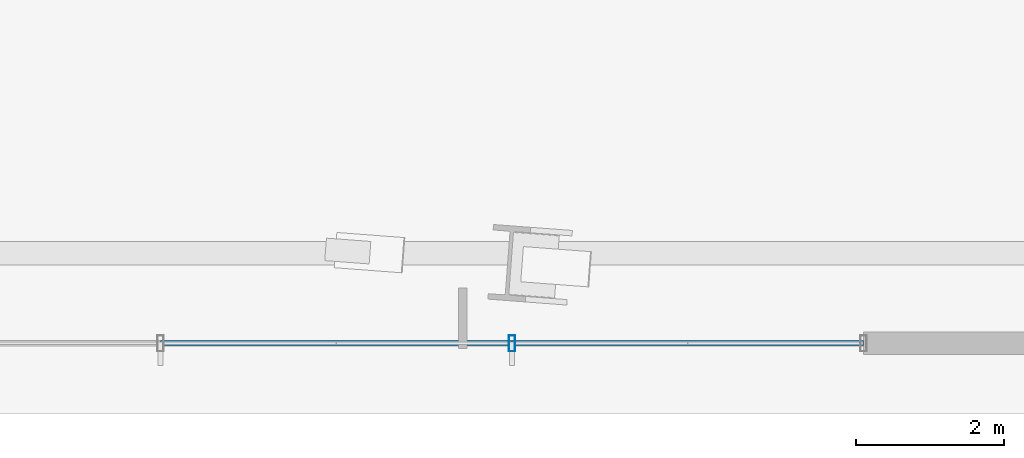
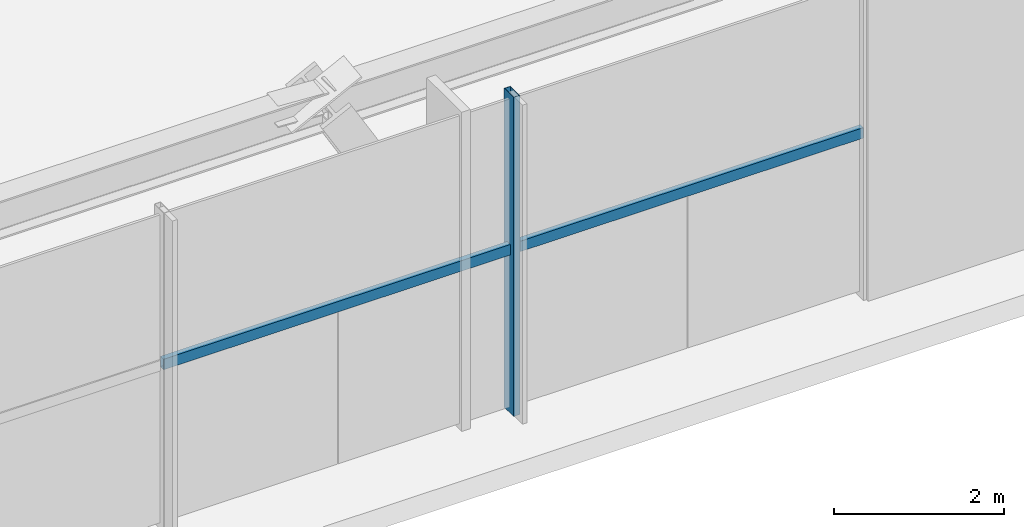
# One storey, part 13 of 31: 3 members, 1 element without a shape of its own.
"""IFC4 building model written with IfcOpenShell, lengths in metres."""

from ifc_helpers import new_model, si_unit, direction, frame, origin, origin_2d, place, context, subcontext, project, spatial, hollow_rectangle, extrude, source, transform, mapped, material, material_profile, profile_set, type_object, type_shapes, element, aggregate, save


model = new_model("IFC4")

# Units and contexts
model_context = context("Model", 3, precision=1e-05, world=origin(), true_north=direction((0.0, 1.0)))
body_context = subcontext(model_context, "Body", "Model", "MODEL_VIEW")
ifc_project = project(units=[si_unit("LENGTHUNIT", "METRE"), si_unit("AREAUNIT", "SQUARE_METRE"), si_unit("VOLUMEUNIT", "CUBIC_METRE"), si_unit("PLANEANGLEUNIT", "RADIAN"), si_unit("MASSUNIT", "GRAM", prefix="KILO")], contexts=[model_context])

# Site, building, storey
site_placement = place(None, origin())
site = spatial("IfcSite", under=ifc_project, at=site_placement, CompositionType="ELEMENT")
building_placement = place(site_placement, origin())
building = spatial("IfcBuilding", under=site, at=building_placement, Name="Astriad Promenade Condominiums", CompositionType="ELEMENT")
storey_placement = place(building_placement, origin())
storey = spatial("IfcBuildingStorey", under=building, at=storey_placement, Name="L00", CompositionType="ELEMENT", Elevation=0.0)

# Curtain wall, members
ifc_material_1 = material(Name="Anodised aluminium Black Dark Glass Unitised", Category="aluminium")
curtain_wall_type = type_object("IfcCurtainWallType", Name="CW-POD-DARK", PredefinedType="USERDEFINED", material=ifc_material_1)
curtain_wall_placement = place(storey_placement, origin())
curtain_wall = element("IfcCurtainWall", 1, at=curtain_wall_placement, inside=storey, type_object=curtain_wall_type, Name="CW-L00-SE", ObjectType="UNITISED_CURTAIN_WALL", PredefinedType="USERDEFINED")
ifc_material_2 = material(Name="Anodised aluminium 6063-T6 Black", Category="aluminium")
ifc_material_profile_1 = material_profile(ifc_material_2, hollow_rectangle(XDim=0.0849609375, YDim=0.219970703125, WallThickness=0.0048828125, at=origin_2d()), Name="ALU-MUL-85X220")
ifc_profile_set_1 = profile_set([ifc_material_profile_1], Name="Anodised aluminium 6063-T6 Black")
member_type_1 = type_object("IfcMemberType", Name="MUL-ALU-MUL-85X220", PredefinedType="MULLION", material=ifc_profile_set_1)
shared_shape_1 = source(origin(), body_context, "Body", "SweptSolid", [
    extrude(hollow_rectangle(XDim=0.0849609375, YDim=0.219970703125, WallThickness=0.0048828125, at=origin_2d()), origin(), (0.0, 0.0, 1.0), 4.580078125),
])
type_shapes(member_type_1, [shared_shape_1])
member_1_placement = place(storey_placement, frame((61.25, 0.949951171875, 0.0), z_axis=(0.0, 0.0, 1.0), x_axis=(1.0, 0.0, 0.0)))
member_1 = element("IfcMember", 2, at=member_1_placement, type_object=member_type_1, Name="CW-L00-SE-MUL-01", PredefinedType="MULLION", context=body_context, shape_type="MappedRepresentation", body=[
    mapped(shared_shape_1, transform((0.0, 0.0, 0.0), scale=1.0)),
])
ifc_material_profile_2 = material_profile(ifc_material_2, hollow_rectangle(XDim=0.074951171875, YDim=0.14990234375, WallThickness=0.004150390625, at=origin_2d()), Name="ALU-TRN-75X150")
ifc_profile_set_2 = profile_set([ifc_material_profile_2], Name="Anodised aluminium 6063-T6 Black")
member_type_2 = type_object("IfcMemberType", Name="TRN-ALU-TRN-75X150", PredefinedType="USERDEFINED", material=ifc_profile_set_2)
shared_shape_2 = source(origin(), body_context, "Body", "SweptSolid", [
    extrude(hollow_rectangle(XDim=0.074951171875, YDim=0.14990234375, WallThickness=0.004150390625, at=origin_2d()), origin(), (0.0, 0.0, 1.0), 4.75),
])
type_shapes(member_type_2, [shared_shape_2])
member_2_placement = place(storey_placement, frame((66.0, 0.949951171875, 2.35009765625), z_axis=(-1.0, 0.0, 0.0), x_axis=(0.0, -1.0, 0.0)))
member_2 = element("IfcMember", 3, at=member_2_placement, type_object=member_type_2, Name="CW-L00-SE-TRN-00-0", ObjectType="TRANSOM", PredefinedType="USERDEFINED", context=body_context, shape_type="MappedRepresentation", body=[
    mapped(shared_shape_2, transform((0.0, 0.0, 0.0), scale=1.0)),
])
member_3_placement = place(storey_placement, frame((61.25, 0.949951171875, 2.35009765625), z_axis=(-1.0, 0.0, 0.0), x_axis=(0.0, -1.0, 0.0)))
member_3 = element("IfcMember", 4, at=member_3_placement, type_object=member_type_2, Name="CW-L00-SE-TRN-01-0", ObjectType="TRANSOM", PredefinedType="USERDEFINED", context=body_context, shape_type="MappedRepresentation", body=[
    mapped(shared_shape_2, transform((0.0, 0.0, 0.0), scale=1.0)),
])
aggregate(curtain_wall, [member_1, member_2, member_3])

save(model, "model.ifc")
